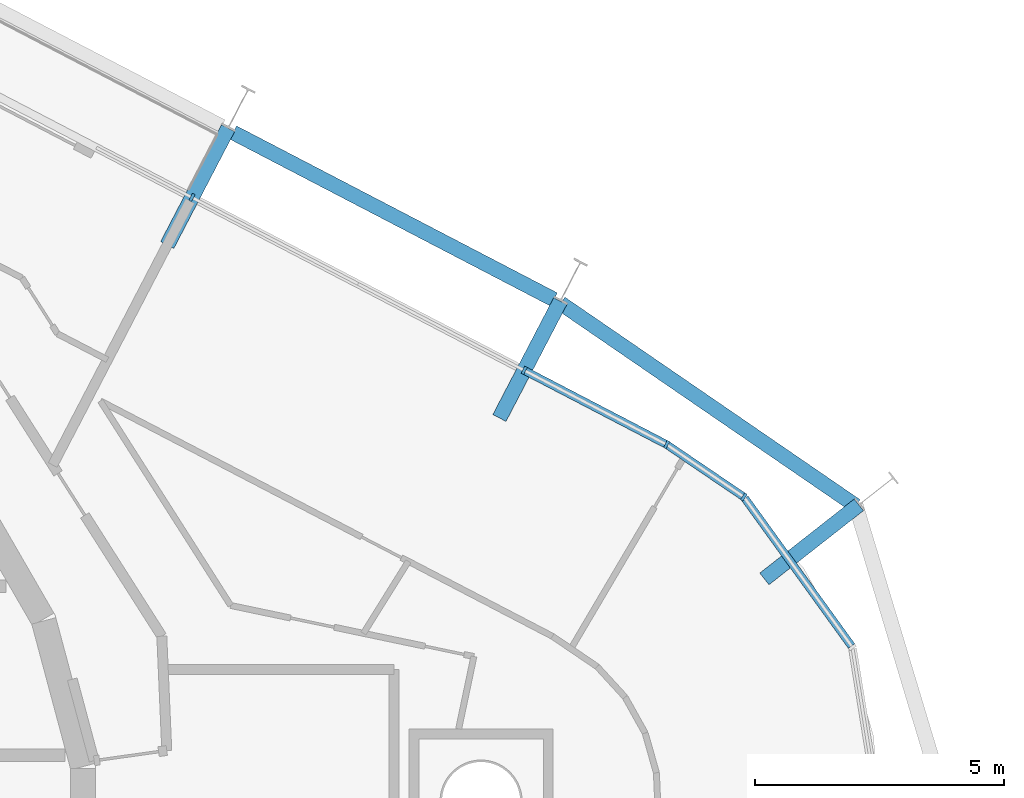
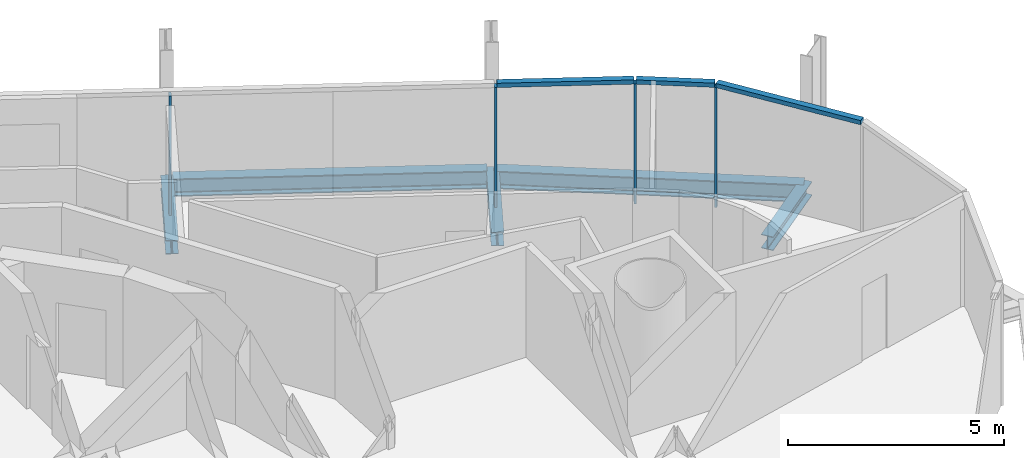
# One storey, part 9 of 18: 7 members, 5 beams, 2 elements without a shape of their own.
"""IFC4 building model written with IfcOpenShell, lengths in metres."""

from ifc_helpers import new_model, si_unit, direction, frame, origin, origin_2d, place, context, subcontext, project, spatial, rectangle, i_section, extrude, material, layer, layer_set, material_profile, profile_set, type_object, element, aggregate, save


model = new_model("IFC4")

# Units and contexts
model_context = context("Model", 3, precision=1e-05, world=origin(), true_north=direction((0.0, 1.0)))
body_context = subcontext(model_context, "Body", "Model", "MODEL_VIEW")
ifc_project = project(units=[si_unit("LENGTHUNIT", "METRE"), si_unit("AREAUNIT", "SQUARE_METRE"), si_unit("VOLUMEUNIT", "CUBIC_METRE"), si_unit("PLANEANGLEUNIT", "RADIAN"), si_unit("MASSUNIT", "GRAM", prefix="KILO")], contexts=[model_context])

# Site, building, storey
site_placement = place(None, origin())
site = spatial("IfcSite", under=ifc_project, at=site_placement, CompositionType="ELEMENT")
building_placement = place(site_placement, origin())
building = spatial("IfcBuilding", under=site, at=building_placement, Name="Spindle Arch Residences", CompositionType="ELEMENT")
storey_placement = place(building_placement, frame((0.0, 0.0, 233.699951171875)))
storey = spatial("IfcBuildingStorey", under=building, at=storey_placement, Name="L59", CompositionType="ELEMENT", Elevation=233.699951171875)

# Curtain wall, members
ifc_material_1 = material(Name="Aluminium bronze unitised frame with tinted glass", Category="aluminium")
ifc_layer_1 = layer(ifc_material_1, 0.159912109375)
ifc_layer_set_1 = layer_set([ifc_layer_1], Name="CW-D corner wall on the fillet arcs")
curtain_wall_type_1 = type_object("IfcCurtainWallType", Name="CW-D corner wall on the fillet arcs", PredefinedType="NOTDEFINED", material=ifc_layer_set_1)
curtain_wall_1_placement = place(storey_placement, origin())
curtain_wall_1 = element("IfcCurtainWall", 1, at=curtain_wall_1_placement, inside=storey, type_object=curtain_wall_type_1, Name="CW-D L59 run 1", PredefinedType="NOTDEFINED")
ifc_material_2 = material(Name="Aluminium bronze anodised mullion", Category="aluminium")
ifc_material_profile_1 = material_profile(ifc_material_2, rectangle(XDim=0.159912109375, YDim=0.06005859375, at=origin_2d()), Name="MU 60x160")
ifc_profile_set_1 = profile_set([ifc_material_profile_1], Name="Aluminium bronze anodised mullion")
member_type_1 = type_object("IfcMemberType", Name="Bronze mullion 60x160", PredefinedType="MULLION", material=ifc_profile_set_1)
member_1_placement = place(storey_placement, frame((24.93310546875, 6.971435546875, -0.3798828125), z_axis=(0.0, 0.0, 1.0), x_axis=(-0.561602105546, -0.827407441981, 0.0)))
member_1 = element("IfcMember", 2, at=member_1_placement, type_object=member_type_1, Name="CW-D mullion 05", PredefinedType="MULLION", context=body_context, shape_type="SweptSolid", body=[
    extrude(rectangle(XDim=0.159912109375, YDim=0.06005859375, at=origin_2d()), origin(), (0.0, 0.0, 1.0), 3.3798828125),
])
member_2_placement = place(storey_placement, frame((23.380859375, 8.02490234375, -0.3798828125), z_axis=(0.0, 0.0, 1.0), x_axis=(-0.461748613235, -0.887010833178, 0.0)))
member_2 = element("IfcMember", 3, at=member_2_placement, type_object=member_type_1, Name="CW-D mullion 06", PredefinedType="MULLION", context=body_context, shape_type="SweptSolid", body=[
    extrude(rectangle(XDim=0.159912109375, YDim=0.06005859375, at=origin_2d()), origin(), (0.0, 0.0, 1.0), 3.3798828125),
])

ifc_material_3 = material(Name="Aluminium bronze unitised frame with tinted glass", Category="aluminium")
ifc_layer_2 = layer(ifc_material_3, 0.159912109375)
ifc_layer_set_2 = layer_set([ifc_layer_2], Name="CW-C typical residential unitised wall")
curtain_wall_type_2 = type_object("IfcCurtainWallType", Name="CW-C typical residential unitised wall", PredefinedType="NOTDEFINED", material=ifc_layer_set_2)
curtain_wall_2_placement = place(storey_placement, origin())
curtain_wall_2 = element("IfcCurtainWall", 4, at=curtain_wall_2_placement, inside=storey, type_object=curtain_wall_type_2, Name="CW-C L59 run 2", PredefinedType="NOTDEFINED")
member_3_placement = place(storey_placement, frame((20.517333984375, 9.515625, -0.3798828125), z_axis=(0.0, 0.0, 1.0), x_axis=(-0.461748613235, -0.887010833178, 0.0)))
member_3 = element("IfcMember", 5, at=member_3_placement, type_object=member_type_1, Name="CW-C mullion 05", PredefinedType="MULLION", context=body_context, shape_type="SweptSolid", body=[
    extrude(rectangle(XDim=0.159912109375, YDim=0.06005859375, at=origin_2d()), origin(), (0.0, 0.0, 1.0), 3.3798828125),
])
member_4_placement = place(storey_placement, frame((13.837890625, 12.99267578125, -0.3798828125), z_axis=(0.0, 0.0, 1.0), x_axis=(-0.461748613235, -0.887010833178, 0.0)))
member_4 = element("IfcMember", 6, at=member_4_placement, type_object=member_type_1, Name="CW-C mullion 06", PredefinedType="MULLION", context=body_context, shape_type="SweptSolid", body=[
    extrude(rectangle(XDim=0.159912109375, YDim=0.06005859375, at=origin_2d()), origin(), (0.0, 0.0, 1.0), 3.3798828125),
])
aggregate(curtain_wall_2, [member_3, member_4])

# Member
ifc_material_4 = material(Name="Aluminium bronze anodised transom", Category="aluminium")
ifc_material_profile_2 = material_profile(ifc_material_4, rectangle(XDim=0.159912109375, YDim=0.1201171875, at=origin_2d()), Name="TR 120x160")
ifc_profile_set_2 = profile_set([ifc_material_profile_2], Name="Aluminium bronze anodised transom")
member_type_2 = type_object("IfcMemberType", Name="Bronze transom 120x160", PredefinedType="USERDEFINED", material=ifc_profile_set_2)
member_5_placement = place(storey_placement, frame((27.097412109375, 3.974365234375, 3.06005859375), z_axis=(-0.585456519469, 0.810703807695, 0.0), x_axis=(-0.810703807695, -0.585456519469, 0.0)))
member_5 = element("IfcMember", 7, at=member_5_placement, type_object=member_type_2, Name="CW-D transom 04", ObjectType="TRANSOM", PredefinedType="USERDEFINED", context=body_context, shape_type="SweptSolid", body=[
    extrude(rectangle(XDim=0.159912109375, YDim=0.1201171875, at=origin_2d()), origin(), (0.0, 0.0, 1.0), 3.666748046875),
])

member_6_placement = place(storey_placement, frame((24.908447265625, 6.98828125, 3.06005859375), z_axis=(-0.827451234698, 0.561537580396, 0.0), x_axis=(-0.561537580396, -0.827451234698, 0.0)))
member_6 = element("IfcMember", 8, at=member_6_placement, type_object=member_type_2, Name="CW-D transom 05", ObjectType="TRANSOM", PredefinedType="USERDEFINED", context=body_context, shape_type="SweptSolid", body=[
    extrude(rectangle(XDim=0.159912109375, YDim=0.1201171875, at=origin_2d()), origin(), (0.0, 0.0, 1.0), 1.816162109375),
])

member_7_placement = place(storey_placement, frame((23.354248046875, 8.038818359375, 3.06005859375), z_axis=(-0.886987077292, 0.461794245002, 0.0), x_axis=(-0.461794245002, -0.886987077292, 0.0)))
member_7 = element("IfcMember", 9, at=member_7_placement, type_object=member_type_2, Name="CW-D transom 06", ObjectType="TRANSOM", PredefinedType="USERDEFINED", context=body_context, shape_type="SweptSolid", body=[
    extrude(rectangle(XDim=0.159912109375, YDim=0.1201171875, at=origin_2d()), origin(), (0.0, 0.0, 1.0), 3.16845703125),
])

aggregate(curtain_wall_1, [member_5, member_1, member_6, member_2, member_7])

# Beams
ifc_material_5 = material(Name="Steel S460ML, intumescent coating R 120", Category="steel")
ifc_material_profile_3 = material_profile(ifc_material_5, i_section(OverallWidth=0.300048828125, OverallDepth=0.5, WebThickness=0.014404296875, FlangeThickness=0.028076171875, FilletRadius=0.027099609375, at=origin_2d()), Name="HEB 500")
ifc_profile_set_3 = profile_set([ifc_material_profile_3], Name="Steel S460ML, intumescent coating R 120")
beam_type_1 = type_object("IfcBeamType", Name="Exoskeleton edge beam HEB 500", PredefinedType="BEAM", material=ifc_profile_set_3)
beam_1_placement = place(storey_placement, frame((27.1845703125, 6.7939453125, -0.6298828125), z_axis=(-0.82461761875, 0.565690536289, 0.0), x_axis=(-0.565690536289, -0.82461761875, 0.0)))
element("IfcBeam", 10, at=beam_1_placement, inside=storey, type_object=beam_type_1, Name="Exoskeleton edge beam 5", PredefinedType="BEAM", context=body_context, shape_type="SweptSolid", body=[
    extrude(i_section(OverallWidth=0.300048828125, OverallDepth=0.5, WebThickness=0.014404296875, FlangeThickness=0.028076171875, FilletRadius=0.027099609375, at=origin_2d()), origin(), (0.0, 0.0, 1.0), 7.196044921875),
])
beam_2_placement = place(storey_placement, frame((21.113037109375, 10.94189453125, -0.6298828125), z_axis=(-0.887028136443, 0.461715372452, 0.0), x_axis=(-0.461715372452, -0.887028136443, 0.0)))
element("IfcBeam", 11, at=beam_2_placement, inside=storey, type_object=beam_type_1, Name="Exoskeleton edge beam 6", PredefinedType="BEAM", context=body_context, shape_type="SweptSolid", body=[
    extrude(i_section(OverallWidth=0.300048828125, OverallDepth=0.5, WebThickness=0.014404296875, FlangeThickness=0.028076171875, FilletRadius=0.027099609375, at=origin_2d()), origin(), (0.0, 0.0, 1.0), 7.27001953125),
])
ifc_material_6 = material(Name="Steel S460ML, intumescent coating R 120", Category="steel")
ifc_material_profile_4 = material_profile(ifc_material_6, i_section(OverallWidth=0.300048828125, OverallDepth=0.389892578125, WebThickness=0.010986328125, FlangeThickness=0.01904296875, FilletRadius=0.027099609375, at=origin_2d()), Name="HEA 400")
ifc_profile_set_4 = profile_set([ifc_material_profile_4], Name="Steel S460ML, intumescent coating R 120")
beam_type_2 = type_object("IfcBeamType", Name="Floor outrigger HEA 400", PredefinedType="BEAM", material=ifc_profile_set_4)
beam_3_placement = place(storey_placement, frame((27.244140625, 6.81201171875, -0.574951171875), z_axis=(-0.786970935565, -0.616990070079, 0.0), x_axis=(0.616990070079, -0.786970935565, 0.0)))
element("IfcBeam", 12, at=beam_3_placement, inside=storey, type_object=beam_type_2, Name="Floor outrigger 5", PredefinedType="BEAM", context=body_context, shape_type="SweptSolid", body=[
    extrude(i_section(OverallWidth=0.300048828125, OverallDepth=0.389892578125, WebThickness=0.010986328125, FlangeThickness=0.01904296875, FilletRadius=0.027099609375, at=origin_2d()), origin(), (0.0, 0.0, 1.0), 2.412841796875),
])
for number, where, z_axis, x_axis, name in (
    (13, (21.2421875, 10.908203125, -0.574951171875), (-0.461784931359, -0.886991926215, 0.0), (0.886991926215, -0.461784931359, 0.0), "Floor outrigger 6"),
    (14, (14.56298828125, 14.38525390625, -0.574951171875), (-0.461784931359, -0.886991926215, 0.0), (0.886991926215, -0.461784931359, 0.0), "Floor outrigger 7"),
):
    element("IfcBeam", number, at=place(storey_placement, frame(where, z_axis=z_axis, x_axis=x_axis)), inside=storey, type_object=beam_type_2, Name=name, PredefinedType="BEAM", context=body_context, shape_type="SweptSolid", body=[
        extrude(i_section(OverallWidth=0.300048828125, OverallDepth=0.389892578125, WebThickness=0.010986328125, FlangeThickness=0.01904296875, FilletRadius=0.027099609375, at=origin_2d()), origin(), (0.0, 0.0, 1.0), 2.64990234375),
    ])

save(model, "model.ifc")
